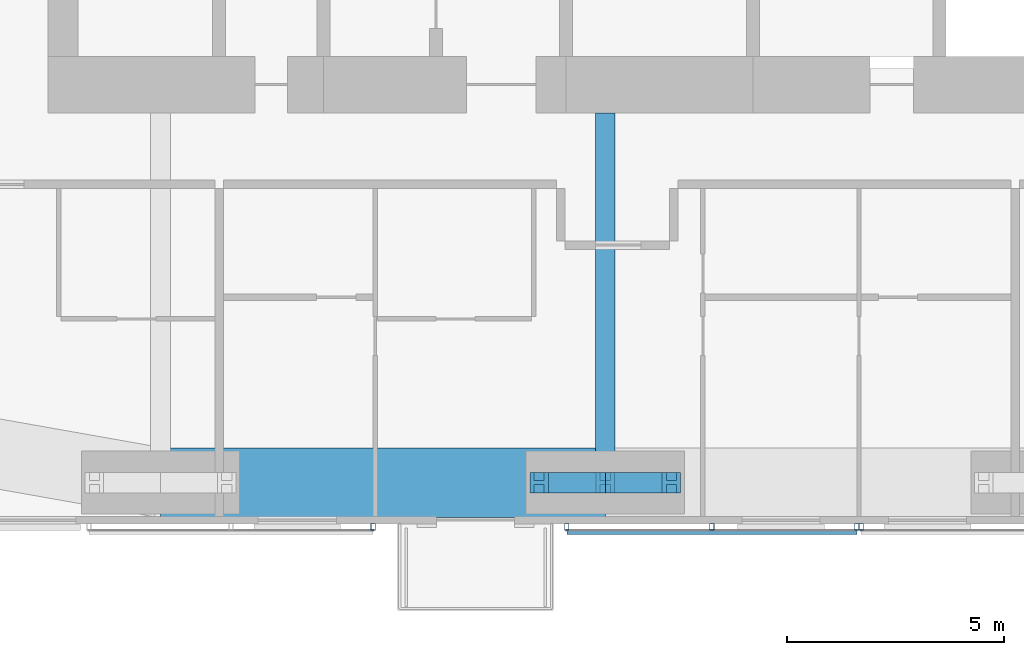
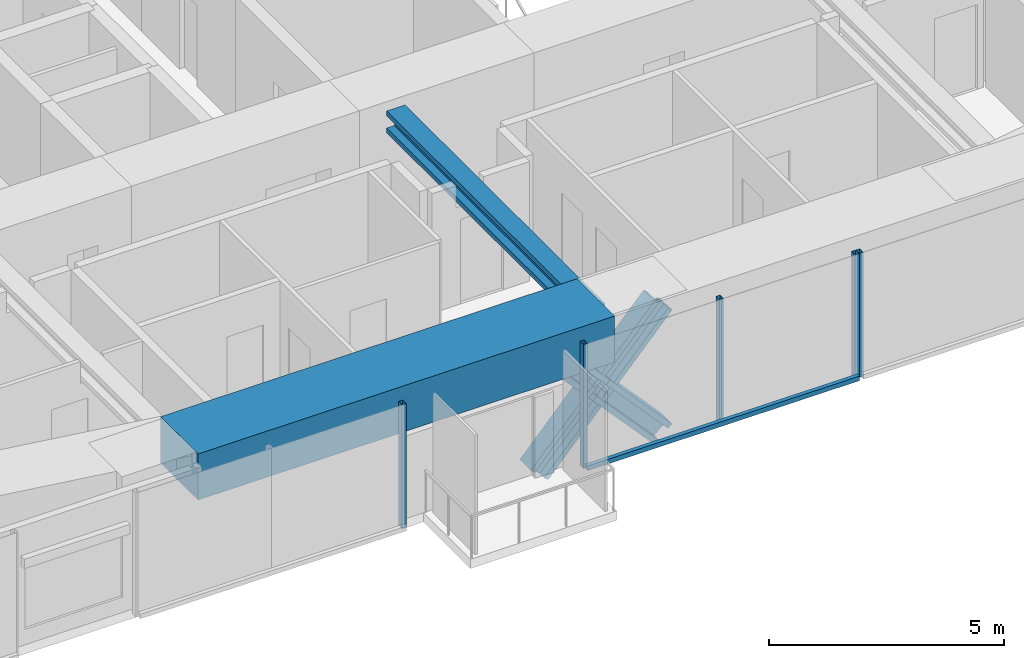
# One storey, part 4 of 23: 10 members, 2 beams, 3 elements without a shape of their own.
"""IFC4 building model written with IfcOpenShell, lengths in metres."""

from ifc_helpers import new_model, si_unit, direction, frame, origin, origin_2d, place, context, subcontext, project, spatial, rectangle, hollow_rectangle, i_section, extrude, material, material_profile, profile_set, type_object, element, aggregate, save


model = new_model("IFC4")

# Units and contexts
model_context = context("Model", 3, precision=1e-05, world=origin(), true_north=direction((0.0, 1.0)))
body_context = subcontext(model_context, "Body", "Model", "MODEL_VIEW")
ifc_project = project(units=[si_unit("LENGTHUNIT", "METRE"), si_unit("AREAUNIT", "SQUARE_METRE"), si_unit("VOLUMEUNIT", "CUBIC_METRE"), si_unit("PLANEANGLEUNIT", "RADIAN"), si_unit("MASSUNIT", "GRAM", prefix="KILO")], contexts=[model_context])

# Site, building, storey
site_placement = place(None, origin())
site = spatial("IfcSite", under=ifc_project, at=site_placement, CompositionType="ELEMENT")
building_placement = place(site_placement, origin())
building = spatial("IfcBuilding", under=site, at=building_placement, Name="Jalousie Tower", CompositionType="ELEMENT")
storey_placement = place(building_placement, frame((0.0, 0.0, 181.14990234375)))
storey = spatial("IfcBuildingStorey", under=building, at=storey_placement, Name="L49", CompositionType="ELEMENT", Elevation=181.14990234375)

# Beam
ifc_material_1 = material(Name="Steel ASTM A992 Grade 50", Category="steel")
ifc_material_profile_1 = material_profile(ifc_material_1, i_section(OverallWidth=0.45458984375, OverallDepth=0.569091796875, WebThickness=0.077880859375, FlangeThickness=0.124755859375, at=origin_2d()), Name="W14X730")
ifc_profile_set_1 = profile_set([ifc_material_profile_1], Name="Steel ASTM A992 Grade 50")
beam_type_1 = type_object("IfcBeamType", Name="LEAN COLLECTOR W14X730", PredefinedType="BEAM", material=ifc_profile_set_1)
beam_1_placement = place(storey_placement, frame((32.5, 0.949951171875, 2.82568359375), z_axis=(0.0, 1.0, 0.0), x_axis=(-1.0, 0.0, 0.0)))
element("IfcBeam", 1, at=beam_1_placement, inside=storey, type_object=beam_type_1, Name="Lean collector under L50", PredefinedType="BEAM", context=body_context, shape_type="SweptSolid", body=[
    extrude(i_section(OverallWidth=0.45458984375, OverallDepth=0.569091796875, WebThickness=0.077880859375, FlangeThickness=0.124755859375, at=origin_2d()), origin(), (0.0, 0.0, 1.0), 8.525146484375),
])

# Members
ifc_material_2 = material(Name="Steel ASTM A992 Grade 50", Category="steel")
ifc_material_profile_2 = material_profile(ifc_material_2, i_section(OverallWidth=0.472412109375, OverallDepth=0.5791015625, WebThickness=0.094970703125, FlangeThickness=0.1298828125, at=origin_2d()), Name="W14X808")
ifc_profile_set_2 = profile_set([ifc_material_profile_2], Name="Steel ASTM A992 Grade 50")
member_type_1 = type_object("IfcMemberType", Name="PERIMETER BRACE W14X808", PredefinedType="BRACE", material=ifc_profile_set_2)
for number, where, z_axis, x_axis, name in (
    (2, (30.97509765625, 0.949951171875, -0.599853515625), (0.673187629365, 0.0, 0.739471713908), (0.0, 1.0, 0.0), "Perimeter brace 03 L49 part 1"),
    (3, (32.5, 0.949951171875, 1.0751953125), (0.673241284601, 0.0, 0.739422864611), (0.0, 1.0, 0.0), "Perimeter brace 03 L49 part 2"),
    (4, (34.02490234375, 0.949951171875, -0.599853515625), (-0.673187629365, 0.0, 0.739471713908), (0.0, -1.0, 0.0), "Perimeter brace 03 L49 part 3"),
    (5, (32.5, 0.949951171875, 1.0751953125), (-0.673241284601, 0.0, 0.739422864611), (0.0, -1.0, 0.0), "Perimeter brace 03 L49 part 4"),
):
    element("IfcMember", number, at=place(storey_placement, frame(where, z_axis=z_axis, x_axis=x_axis)), inside=storey, type_object=member_type_1, Name=name, PredefinedType="BRACE", context=body_context, shape_type="SweptSolid", body=[
        extrude(i_section(OverallWidth=0.472412109375, OverallDepth=0.5791015625, WebThickness=0.094970703125, FlangeThickness=0.1298828125, at=origin_2d()), origin(), (0.0, 0.0, 1.0), 2.26513671875),
    ])

# Beam
ifc_material_3 = material(Name="Concrete f'c 40 MPa", Category="concrete")
ifc_material_profile_3 = material_profile(ifc_material_3, rectangle(XDim=1.60009765625, YDim=1.199951171875, at=origin_2d()), Name="RC 1600x1200")
ifc_profile_set_3 = profile_set([ifc_material_profile_3], Name="Concrete f'c 40 MPa")
beam_type_2 = type_object("IfcBeamType", Name="RC BEAM 1600x1200", PredefinedType="BEAM", material=ifc_profile_set_3)
beam_2_placement = place(storey_placement, frame((22.25, 0.949951171875, 2.75), z_axis=(1.0, 0.0, 0.0), x_axis=(0.0, 1.0, 0.0)))
element("IfcBeam", 6, at=beam_2_placement, inside=storey, type_object=beam_type_2, Name="Edge band beam 02-03 under L50", PredefinedType="BEAM", context=body_context, shape_type="SweptSolid", body=[
    extrude(rectangle(XDim=1.60009765625, YDim=1.199951171875, at=origin_2d()), origin(), (0.0, 0.0, 1.0), 10.25),
])

# Curtain wall, member
ifc_material_4 = material(Name="Perforated aluminium sheet", Category="aluminium")
curtain_wall_type = type_object("IfcCurtainWallType", Name="SOLAR SCREEN SS-1", PredefinedType="USERDEFINED", material=ifc_material_4)
curtain_wall_1_placement = place(storey_placement, origin())
curtain_wall_1 = element("IfcCurtainWall", 7, at=curtain_wall_1_placement, inside=storey, type_object=curtain_wall_type, Name="Solar screen L49", ObjectType="SOLAR SCREEN SS-1", PredefinedType="USERDEFINED")
ifc_material_5 = material(Name="Steel ASTM A500 Grade C", Category="steel")
ifc_material_profile_4 = material_profile(ifc_material_5, hollow_rectangle(XDim=0.1015625, YDim=0.15234375, WallThickness=0.00634765625, at=origin_2d()), Name="HSS6X4X1/4")
ifc_profile_set_4 = profile_set([ifc_material_profile_4], Name="Steel ASTM A500 Grade C")
member_type_2 = type_object("IfcMemberType", Name="SOLAR SCREEN SS-1 MULLION", PredefinedType="MULLION", material=ifc_profile_set_4)
member_1_placement = place(storey_placement, frame((27.14990234375, -0.0712890625, -0.119873046875), z_axis=(0.0, 0.0, 1.0), x_axis=(1.0, 0.0, 0.0)))
member_1 = element("IfcMember", 8, at=member_1_placement, type_object=member_type_2, Name="SS1 post 3", PredefinedType="MULLION", context=body_context, shape_type="SweptSolid", body=[
    extrude(hollow_rectangle(XDim=0.1015625, YDim=0.15234375, WallThickness=0.00634765625, at=origin_2d()), origin(), (0.0, 0.0, 1.0), 3.22998046875),
])
aggregate(curtain_wall_1, [member_1])

# Curtain wall, members
curtain_wall_2_placement = place(storey_placement, origin())
curtain_wall_2 = element("IfcCurtainWall", 9, at=curtain_wall_2_placement, inside=storey, type_object=curtain_wall_type, Name="Solar screen L49", ObjectType="SOLAR SCREEN SS-1", PredefinedType="USERDEFINED")
member_2_placement = place(storey_placement, frame((31.612548828125, -0.0712890625, -0.119873046875), z_axis=(0.0, 0.0, 1.0), x_axis=(1.0, 0.0, 0.0)))
member_2 = element("IfcMember", 10, at=member_2_placement, type_object=member_type_2, Name="SS1 post 1", PredefinedType="MULLION", context=body_context, shape_type="SweptSolid", body=[
    extrude(hollow_rectangle(XDim=0.1015625, YDim=0.15234375, WallThickness=0.00634765625, at=origin_2d()), origin(), (0.0, 0.0, 1.0), 3.22998046875),
])
member_3_placement = place(storey_placement, frame((34.956298828125, -0.0712890625, -0.119873046875), z_axis=(0.0, 0.0, 1.0), x_axis=(1.0, 0.0, 0.0)))
member_3 = element("IfcMember", 11, at=member_3_placement, type_object=member_type_2, Name="SS1 post 2", PredefinedType="MULLION", context=body_context, shape_type="SweptSolid", body=[
    extrude(hollow_rectangle(XDim=0.1015625, YDim=0.15234375, WallThickness=0.00634765625, at=origin_2d()), origin(), (0.0, 0.0, 1.0), 3.22998046875),
])
member_4_placement = place(storey_placement, frame((38.300048828125, -0.0712890625, -0.119873046875), z_axis=(0.0, 0.0, 1.0), x_axis=(1.0, 0.0, 0.0)))
member_4 = element("IfcMember", 12, at=member_4_placement, type_object=member_type_2, Name="SS1 post 3", PredefinedType="MULLION", context=body_context, shape_type="SweptSolid", body=[
    extrude(hollow_rectangle(XDim=0.1015625, YDim=0.15234375, WallThickness=0.00634765625, at=origin_2d()), origin(), (0.0, 0.0, 1.0), 3.22998046875),
])

# Curtain wall, member
curtain_wall_3_placement = place(storey_placement, origin())
curtain_wall_3 = element("IfcCurtainWall", 13, at=curtain_wall_3_placement, inside=storey, type_object=curtain_wall_type, Name="Solar screen L49", ObjectType="SOLAR SCREEN SS-1", PredefinedType="USERDEFINED")
member_5_placement = place(storey_placement, frame((38.39990234375, -0.0712890625, -0.119873046875), z_axis=(0.0, 0.0, 1.0), x_axis=(1.0, 0.0, 0.0)))
member_5 = element("IfcMember", 14, at=member_5_placement, type_object=member_type_2, Name="SS1 post 1", PredefinedType="MULLION", context=body_context, shape_type="SweptSolid", body=[
    extrude(hollow_rectangle(XDim=0.1015625, YDim=0.15234375, WallThickness=0.00634765625, at=origin_2d()), origin(), (0.0, 0.0, 1.0), 3.22998046875),
])
aggregate(curtain_wall_3, [member_5])

# Member
ifc_material_6 = material(Name="Extruded aluminium screen rail", Category="aluminium")
ifc_material_profile_5 = material_profile(ifc_material_6, rectangle(XDim=0.1015625, YDim=0.1201171875, at=origin_2d()), Name="RAIL 102x120")
ifc_profile_set_5 = profile_set([ifc_material_profile_5], Name="Extruded aluminium screen rail")
member_type_3 = type_object("IfcMemberType", Name="SOLAR SCREEN SS-1 TRANSOM", PredefinedType="USERDEFINED", material=ifc_profile_set_5)
member_6_placement = place(storey_placement, frame((31.612548828125, -0.1982421875, -0.059814453125), z_axis=(1.0, 0.0, 0.0), x_axis=(0.0, 1.0, 0.0)))
member_6 = element("IfcMember", 15, at=member_6_placement, type_object=member_type_3, Name="SS1 rail", ObjectType="TRANSOM", PredefinedType="USERDEFINED", context=body_context, shape_type="SweptSolid", body=[
    extrude(rectangle(XDim=0.1015625, YDim=0.1201171875, at=origin_2d()), origin(), (0.0, 0.0, 1.0), 6.6875),
])

aggregate(curtain_wall_2, [member_2, member_3, member_4, member_6])

save(model, "model.ifc")
